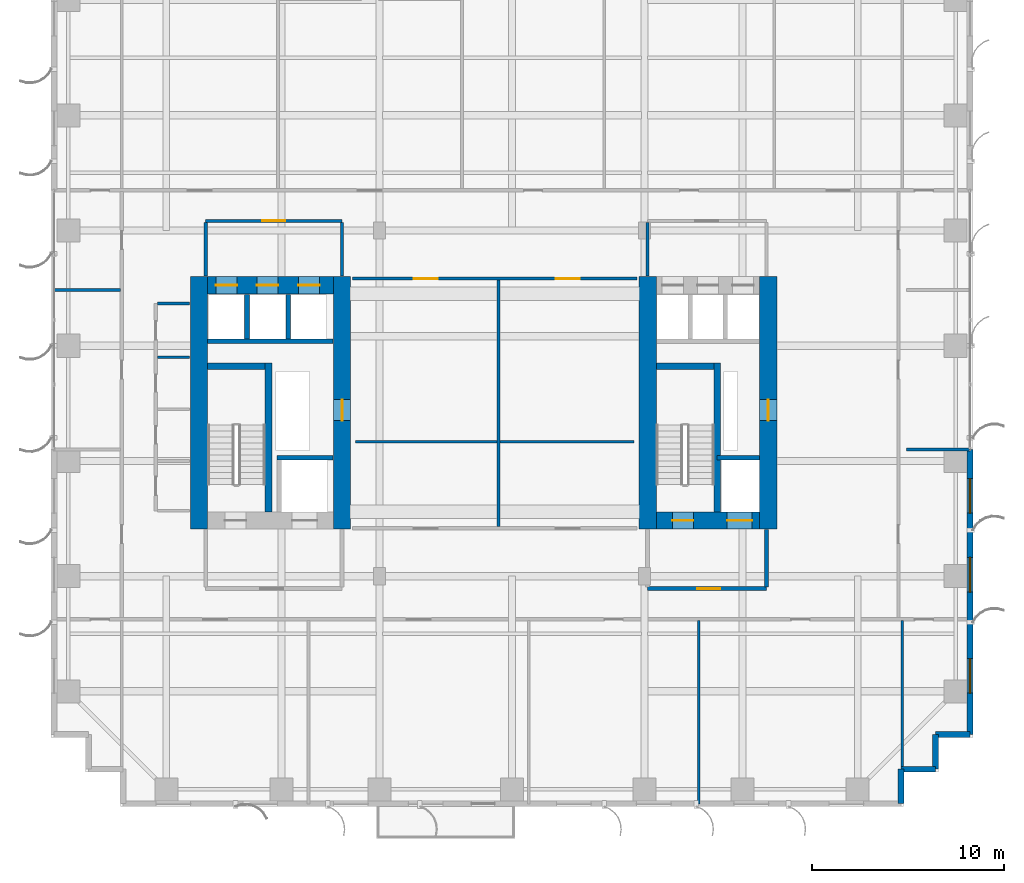
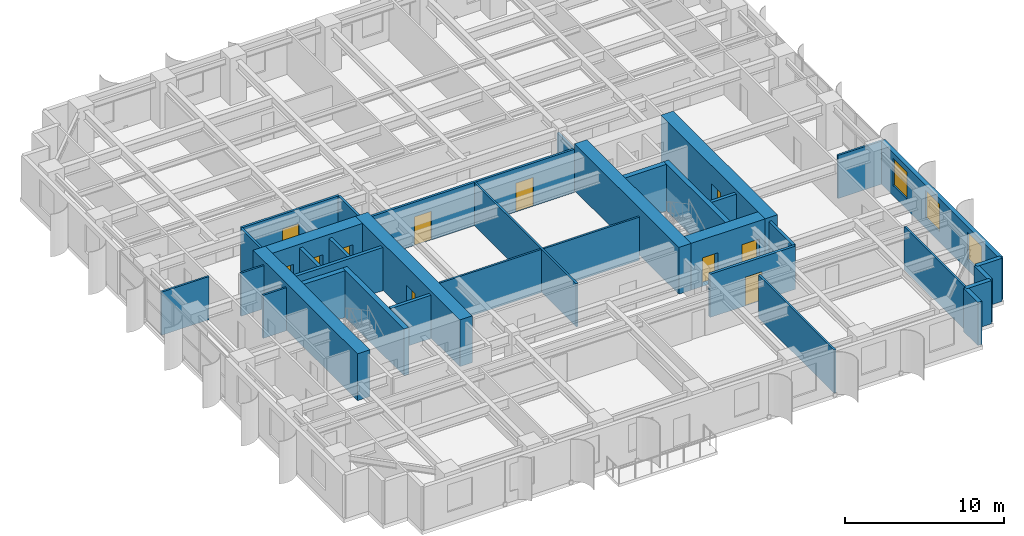
# One storey, part 10 of 16: 35 walls, 11 doors, 3 windows, 14 openings.
"""IFC4 building model written with IfcOpenShell, lengths in metres."""

from ifc_helpers import new_model, si_unit, direction, frame, frame_2d, origin, place, context, subcontext, project, spatial, rectangle, extrude, source, transform, mapped, material, layer, layer_set, type_object, element, fill, save


model = new_model("IFC4")

# Units and contexts
model_context = context("Model", 3, precision=1e-05, world=origin(), true_north=direction((0.0, 1.0)))
body_context = subcontext(model_context, "Body", "Model", "MODEL_VIEW")
ifc_project = project(units=[si_unit("LENGTHUNIT", "METRE"), si_unit("AREAUNIT", "SQUARE_METRE"), si_unit("VOLUMEUNIT", "CUBIC_METRE"), si_unit("PLANEANGLEUNIT", "RADIAN"), si_unit("MASSUNIT", "GRAM", prefix="KILO")], contexts=[model_context])

# Site, building, storey
site_placement = place(None, origin())
site = spatial("IfcSite", under=ifc_project, at=site_placement, CompositionType="ELEMENT")
building_placement = place(site_placement, origin())
building = spatial("IfcBuilding", under=site, at=building_placement, Name="Khoralis Quay Care Tower", CompositionType="ELEMENT")
storey_placement = place(building_placement, frame((0.0, 0.0, 29.699951171875)))
storey = spatial("IfcBuildingStorey", under=building, at=storey_placement, Name="L07", CompositionType="ELEMENT", Elevation=29.699951171875)

# Wall, opening, door
ifc_material_1 = material(Name="Gypsum plasterboard on acoustic metal stud")
ifc_layer_1 = layer(ifc_material_1, 0.199951171875)
ifc_layer_set_1 = layer_set([ifc_layer_1], Name="Gypsum plasterboard on acoustic metal stud")
wall_type_1 = type_object("IfcWallType", Name="WL-COMP-200", PredefinedType="PARTITIONING", material=ifc_layer_set_1)
wall_1_placement = place(storey_placement, frame((31.050048828125, 11.35009765625, 0.0), z_axis=(0.0, 0.0, 1.0), x_axis=(1.0, 0.0, 0.0)))
wall_1 = element("IfcWall", 1, at=wall_1_placement, inside=storey, type_object=wall_type_1, Name="L07 East Firefighting Lobby South Wall", PredefinedType="PARTITIONING", context=body_context, shape_type="SweptSolid", body=[
    extrude(rectangle(XDim=6.199951171875, YDim=0.199951171875, at=frame_2d((3.10009765625, 0.0))), origin(), (0.0, 0.0, 1.0), 3.320068359375),
])
opening_1_placement = place(wall_1_placement, frame((2.585693359375, 0.0, 0.0)))
opening_1 = element("IfcOpeningElement", 2, at=opening_1_placement, cuts=wall_1, Name="Opening FD1", PredefinedType="OPENING", context=body_context, shape_type="SweptSolid", body=[
    extrude(rectangle(XDim=1.199951171875, YDim=2.199951171875, at=frame_2d((0.60009765625, 1.10009765625))), frame((0.0, 0.10986328125, 0.0), z_axis=(0.0, -1.0, 0.0), x_axis=(1.0, 0.0, 0.0)), (0.0, 0.0, 1.0), 0.219970703125),
])
ifc_material_2 = material(Name="Fire-rated painted steel", Category="steel")
door_type_1 = type_object("IfcDoorType", Name="DR-FFL-1200X2200", OperationType="NOTDEFINED", PredefinedType="DOOR", material=ifc_material_2)
shared_shape_1 = source(origin(), body_context, "Body", "SweptSolid", [
    extrude(rectangle(XDim=1.199951171875, YDim=2.199951171875, at=frame_2d((0.60009765625, 1.10009765625))), frame((0.0, 0.02490234375, 0.0), z_axis=(0.0, -1.0, 0.0), x_axis=(1.0, 0.0, 0.0)), (0.0, 0.0, 1.0), 0.050048828125),
])
door_1_placement = place(opening_1_placement, origin())
door_1 = element("IfcDoor", 3, at=door_1_placement, inside=storey, type_object=door_type_1, Name="L07 East Firefighting Lobby Fire Door", OperationType="SINGLE_SWING_RIGHT", OverallHeight=2.199951171875, OverallWidth=1.199951171875, PredefinedType="DOOR", context=body_context, shape_type="MappedRepresentation", body=[
    mapped(shared_shape_1, transform((0.0, 0.0, 0.0), scale=1.0)),
])
fill(opening_1, door_1)

# Walls
wall_2_placement = place(storey_placement, frame((37.25, 11.445068359375, 0.0), z_axis=(0.0, 0.0, 1.0), x_axis=(0.0, 1.0, 0.0)))
element("IfcWall", 4, at=wall_2_placement, inside=storey, type_object=wall_type_1, Name="L07 East Firefighting Lobby East Wall", PredefinedType="PARTITIONING", context=body_context, shape_type="SweptSolid", body=[
    extrude(rectangle(XDim=2.98486328125, YDim=0.199951171875, at=frame_2d((1.492431640625, 0.0))), origin(), (0.0, 0.0, 1.0), 3.320068359375),
])
ifc_material_3 = material(Name="Concrete C80/95", Category="concrete")
ifc_layer_2 = layer(ifc_material_3, 0.89990234375)
ifc_layer_set_2 = layer_set([ifc_layer_2], Name="Concrete C80/95")
wall_type_2 = type_object("IfcWallType", Name="WL-CORE-900", PredefinedType="SHEAR", material=ifc_layer_set_2)
wall_3_placement = place(storey_placement, frame((7.699951171875, 14.449951171875, 0.0), z_axis=(0.0, 0.0, 1.0), x_axis=(0.0, 1.0, 0.0)))
element("IfcWall", 5, at=wall_3_placement, inside=storey, type_object=wall_type_2, Name="L07 WCORE West Shear Wall", PredefinedType="SHEAR", context=body_context, shape_type="SweptSolid", body=[
    extrude(rectangle(XDim=13.150146484375, YDim=0.89990234375, at=frame_2d((6.5751953125, 0.0))), origin(), (0.0, 0.0, 1.0), 3.60009765625),
])

# Wall, opening, door
wall_4_placement = place(storey_placement, frame((15.14990234375, 14.449951171875, 0.0), z_axis=(0.0, 0.0, 1.0), x_axis=(0.0, 1.0, 0.0)))
wall_4 = element("IfcWall", 6, at=wall_4_placement, inside=storey, type_object=wall_type_2, Name="L07 WCORE East Shear Wall", PredefinedType="SHEAR", context=body_context, shape_type="SweptSolid", body=[
    extrude(rectangle(XDim=13.150146484375, YDim=0.89990234375, at=frame_2d((6.5751953125, 0.0))), origin(), (0.0, 0.0, 1.0), 3.60009765625),
])
opening_2_placement = place(wall_4_placement, frame((5.64990234375, 0.0, 0.0)))
opening_2 = element("IfcOpeningElement", 7, at=opening_2_placement, cuts=wall_4, Name="Opening SD1", PredefinedType="OPENING", context=body_context, shape_type="SweptSolid", body=[
    extrude(rectangle(XDim=1.10009765625, YDim=2.199951171875, at=frame_2d((0.550048828125, 1.10009765625))), frame((0.0, 0.4599609375, 0.0), z_axis=(0.0, -1.0, 0.0), x_axis=(1.0, 0.0, 0.0)), (0.0, 0.0, 1.0), 0.919921875),
])
door_type_2 = type_object("IfcDoorType", Name="DR-STAIR-1100X2200", OperationType="NOTDEFINED", PredefinedType="DOOR", material=ifc_material_2)
shared_shape_2 = source(origin(), body_context, "Body", "SweptSolid", [
    extrude(rectangle(XDim=1.10009765625, YDim=2.199951171875, at=frame_2d((0.550048828125, 1.10009765625))), frame((0.0, 0.02490234375, 0.0), z_axis=(0.0, -1.0, 0.0), x_axis=(1.0, 0.0, 0.0)), (0.0, 0.0, 1.0), 0.050048828125),
])
door_2_placement = place(opening_2_placement, origin())
door_2 = element("IfcDoor", 8, at=door_2_placement, inside=storey, type_object=door_type_2, Name="L07 West MEP Riser Door", OperationType="SINGLE_SWING_LEFT", OverallHeight=2.199951171875, OverallWidth=1.10009765625, PredefinedType="DOOR", context=body_context, shape_type="MappedRepresentation", body=[
    mapped(shared_shape_2, transform((0.0, 0.0, 0.0), scale=1.0)),
])
fill(opening_2, door_2)

# Wall, openings, doors
wall_5_placement = place(storey_placement, frame((8.14990234375, 27.14990234375, 0.0), z_axis=(0.0, 0.0, 1.0), x_axis=(1.0, 0.0, 0.0)))
wall_5 = element("IfcWall", 9, at=wall_5_placement, inside=storey, type_object=wall_type_2, Name="L07 WCORE North Shear Wall", PredefinedType="SHEAR", context=body_context, shape_type="SweptSolid", body=[
    extrude(rectangle(XDim=6.550048828125, YDim=0.89990234375, at=frame_2d((3.27490234375, 0.0))), origin(), (0.0, 0.0, 1.0), 3.60009765625),
])
opening_3_placement = place(wall_5_placement, frame((0.429931640625, 0.0, 0.0)))
opening_3 = element("IfcOpeningElement", 10, at=opening_3_placement, cuts=wall_5, Name="Opening LD1", PredefinedType="OPENING", context=body_context, shape_type="SweptSolid", body=[
    extrude(rectangle(XDim=1.10009765625, YDim=2.199951171875, at=frame_2d((0.550048828125, 1.10009765625))), frame((0.0, 0.4599609375, 0.0), z_axis=(0.0, -1.0, 0.0), x_axis=(1.0, 0.0, 0.0)), (0.0, 0.0, 1.0), 0.919921875),
])
opening_4_placement = place(wall_5_placement, frame((2.570068359375, 0.0, 0.0)))
opening_4 = element("IfcOpeningElement", 11, at=opening_4_placement, cuts=wall_5, Name="Opening LD1", PredefinedType="OPENING", context=body_context, shape_type="SweptSolid", body=[
    extrude(rectangle(XDim=1.10009765625, YDim=2.199951171875, at=frame_2d((0.550048828125, 1.10009765625))), frame((0.0, 0.4599609375, 0.0), z_axis=(0.0, -1.0, 0.0), x_axis=(1.0, 0.0, 0.0)), (0.0, 0.0, 1.0), 0.919921875),
])
opening_5_placement = place(wall_5_placement, frame((4.72998046875, 0.0, 0.0)))
opening_5 = element("IfcOpeningElement", 12, at=opening_5_placement, cuts=wall_5, Name="Opening LD1", PredefinedType="OPENING", context=body_context, shape_type="SweptSolid", body=[
    extrude(rectangle(XDim=1.10009765625, YDim=2.199951171875, at=frame_2d((0.550048828125, 1.10009765625))), frame((0.0, 0.4599609375, 0.0), z_axis=(0.0, -1.0, 0.0), x_axis=(1.0, 0.0, 0.0)), (0.0, 0.0, 1.0), 0.919921875),
])
ifc_material_4 = material(Name="Brushed stainless steel", Category="steel")
door_type_3 = type_object("IfcDoorType", Name="DR-LIFT-1100X2200", OperationType="SLIDING_TO_LEFT", PredefinedType="DOOR", material=ifc_material_4)
shared_shape_3 = source(origin(), body_context, "Body", "SweptSolid", [
    extrude(rectangle(XDim=1.10009765625, YDim=2.199951171875, at=frame_2d((0.550048828125, 1.10009765625))), frame((0.0, 0.02490234375, 0.0), z_axis=(0.0, -1.0, 0.0), x_axis=(1.0, 0.0, 0.0)), (0.0, 0.0, 1.0), 0.050048828125),
])
door_3_placement = place(opening_3_placement, origin())
door_3 = element("IfcDoor", 13, at=door_3_placement, inside=storey, type_object=door_type_3, Name="L07 Lift PLL1 Landing Door", OperationType="SLIDING_TO_LEFT", OverallHeight=2.199951171875, OverallWidth=1.10009765625, PredefinedType="DOOR", context=body_context, shape_type="MappedRepresentation", body=[
    mapped(shared_shape_3, transform((0.0, 0.0, 0.0), scale=1.0)),
])
fill(opening_3, door_3)
door_4_placement = place(opening_4_placement, origin())
door_4 = element("IfcDoor", 14, at=door_4_placement, inside=storey, type_object=door_type_3, Name="L07 Lift PLM1 Landing Door", OperationType="SLIDING_TO_LEFT", OverallHeight=2.199951171875, OverallWidth=1.10009765625, PredefinedType="DOOR", context=body_context, shape_type="MappedRepresentation", body=[
    mapped(shared_shape_3, transform((0.0, 0.0, 0.0), scale=1.0)),
])
fill(opening_4, door_4)
door_5_placement = place(opening_5_placement, origin())
door_5 = element("IfcDoor", 15, at=door_5_placement, inside=storey, type_object=door_type_3, Name="L07 Lift PLH1 Landing Door", OperationType="SLIDING_TO_LEFT", OverallHeight=2.199951171875, OverallWidth=1.10009765625, PredefinedType="DOOR", context=body_context, shape_type="MappedRepresentation", body=[
    mapped(shared_shape_3, transform((0.0, 0.0, 0.0), scale=1.0)),
])
fill(opening_5, door_5)

# Wall
wall_6_placement = place(storey_placement, frame((31.070068359375, 14.449951171875, 0.0), z_axis=(0.0, 0.0, 1.0), x_axis=(0.0, 1.0, 0.0)))
element("IfcWall", 16, at=wall_6_placement, inside=storey, type_object=wall_type_2, Name="L07 ECORE West Shear Wall", PredefinedType="SHEAR", context=body_context, shape_type="SweptSolid", body=[
    extrude(rectangle(XDim=13.150146484375, YDim=0.89990234375, at=frame_2d((6.5751953125, 0.0))), origin(), (0.0, 0.0, 1.0), 3.60009765625),
])

# Wall, opening, door
wall_7_placement = place(storey_placement, frame((37.35009765625, 14.449951171875, 0.0), z_axis=(0.0, 0.0, 1.0), x_axis=(0.0, 1.0, 0.0)))
wall_7 = element("IfcWall", 17, at=wall_7_placement, inside=storey, type_object=wall_type_2, Name="L07 ECORE East Shear Wall", PredefinedType="SHEAR", context=body_context, shape_type="SweptSolid", body=[
    extrude(rectangle(XDim=13.150146484375, YDim=0.89990234375, at=frame_2d((6.5751953125, 0.0))), origin(), (0.0, 0.0, 1.0), 3.60009765625),
])
opening_6_placement = place(wall_7_placement, frame((5.64990234375, 0.0, 0.0)))
opening_6 = element("IfcOpeningElement", 18, at=opening_6_placement, cuts=wall_7, Name="Opening SD1", PredefinedType="OPENING", context=body_context, shape_type="SweptSolid", body=[
    extrude(rectangle(XDim=1.10009765625, YDim=2.199951171875, at=frame_2d((0.550048828125, 1.10009765625))), frame((0.0, 0.4599609375, 0.0), z_axis=(0.0, -1.0, 0.0), x_axis=(1.0, 0.0, 0.0)), (0.0, 0.0, 1.0), 0.919921875),
])
door_6_placement = place(opening_6_placement, frame((1.10009765625, 0.0, 0.0), z_axis=(0.0, 0.0, 1.0), x_axis=(-1.0, 0.0, 0.0)))
door_6 = element("IfcDoor", 19, at=door_6_placement, inside=storey, type_object=door_type_2, Name="L07 East MEP Riser Door", OperationType="SINGLE_SWING_RIGHT", OverallHeight=2.199951171875, OverallWidth=1.10009765625, PredefinedType="DOOR", context=body_context, shape_type="MappedRepresentation", body=[
    mapped(shared_shape_2, transform((0.0, 0.0, 0.0), scale=1.0)),
])
fill(opening_6, door_6)

# Wall, openings, doors
wall_8_placement = place(storey_placement, frame((31.52001953125, 14.89990234375, 0.0), z_axis=(0.0, 0.0, 1.0), x_axis=(1.0, 0.0, 0.0)))
wall_8 = element("IfcWall", 20, at=wall_8_placement, inside=storey, type_object=wall_type_2, Name="L07 ECORE South Shear Wall", PredefinedType="SHEAR", context=body_context, shape_type="SweptSolid", body=[
    extrude(rectangle(XDim=5.3798828125, YDim=0.89990234375, at=frame_2d((2.68994140625, 0.0))), origin(), (0.0, 0.0, 1.0), 3.60009765625),
])
opening_7_placement = place(wall_8_placement, frame((0.830078125, 0.0, 0.0)))
opening_7 = element("IfcOpeningElement", 21, at=opening_7_placement, cuts=wall_8, Name="Opening SD1", PredefinedType="OPENING", context=body_context, shape_type="SweptSolid", body=[
    extrude(rectangle(XDim=1.10009765625, YDim=2.199951171875, at=frame_2d((0.550048828125, 1.10009765625))), frame((0.0, 0.4599609375, 0.0), z_axis=(0.0, -1.0, 0.0), x_axis=(1.0, 0.0, 0.0)), (0.0, 0.0, 1.0), 0.919921875),
])
opening_8_placement = place(wall_8_placement, frame((3.679931640625, 0.0, 0.0)))
opening_8 = element("IfcOpeningElement", 22, at=opening_8_placement, cuts=wall_8, Name="Opening LD2", PredefinedType="OPENING", context=body_context, shape_type="SweptSolid", body=[
    extrude(rectangle(XDim=1.300048828125, YDim=2.199951171875, at=frame_2d((0.64990234375, 1.10009765625))), frame((0.0, 0.4599609375, 0.0), z_axis=(0.0, -1.0, 0.0), x_axis=(1.0, 0.0, 0.0)), (0.0, 0.0, 1.0), 0.919921875),
])
door_7_placement = place(opening_7_placement, origin())
door_7 = element("IfcDoor", 23, at=door_7_placement, inside=storey, type_object=door_type_2, Name="L07 Stair ST-T2 Fire Door", OperationType="SINGLE_SWING_RIGHT", OverallHeight=2.199951171875, OverallWidth=1.10009765625, PredefinedType="DOOR", context=body_context, shape_type="MappedRepresentation", body=[
    mapped(shared_shape_2, transform((0.0, 0.0, 0.0), scale=1.0)),
])
fill(opening_7, door_7)
door_type_4 = type_object("IfcDoorType", Name="DR-LIFT-1300X2200", OperationType="SLIDING_TO_RIGHT", PredefinedType="DOOR", material=ifc_material_4)
shared_shape_4 = source(origin(), body_context, "Body", "SweptSolid", [
    extrude(rectangle(XDim=1.300048828125, YDim=2.199951171875, at=frame_2d((0.64990234375, 1.10009765625))), frame((0.0, 0.02490234375, 0.0), z_axis=(0.0, -1.0, 0.0), x_axis=(1.0, 0.0, 0.0)), (0.0, 0.0, 1.0), 0.050048828125),
])
door_8_placement = place(opening_8_placement, origin())
door_8 = element("IfcDoor", 24, at=door_8_placement, inside=storey, type_object=door_type_4, Name="L07 Firefighting Lift FFL-2 Landing Door", OperationType="SLIDING_TO_RIGHT", OverallHeight=2.199951171875, OverallWidth=1.300048828125, PredefinedType="DOOR", context=body_context, shape_type="MappedRepresentation", body=[
    mapped(shared_shape_4, transform((0.0, 0.0, 0.0), scale=1.0)),
])
fill(opening_8, door_8)

# Wall, opening, door
ifc_layer_3 = layer(ifc_material_1, 0.1650390625)
ifc_layer_set_3 = layer_set([ifc_layer_3], Name="Gypsum plasterboard on acoustic metal stud")
wall_type_3 = type_object("IfcWallType", Name="WL-CORR-165", PredefinedType="PARTITIONING", material=ifc_layer_set_3)
wall_9_placement = place(storey_placement, frame((8.050048828125, 30.5, 0.0), z_axis=(0.0, 0.0, 1.0), x_axis=(1.0, 0.0, 0.0)))
wall_9 = element("IfcWall", 25, at=wall_9_placement, inside=storey, type_object=wall_type_3, Name="L07 West Lift Lobby North Wall", PredefinedType="PARTITIONING", context=body_context, shape_type="SweptSolid", body=[
    extrude(rectangle(XDim=7.099853515625, YDim=0.1650390625, at=frame_2d((3.5498046875, 0.0))), origin(), (0.0, 0.0, 1.0), 3.320068359375),
])
opening_9_placement = place(wall_9_placement, frame((2.949951171875, 0.0, 0.0)))
opening_9 = element("IfcOpeningElement", 26, at=opening_9_placement, cuts=wall_9, Name="Opening FD1", PredefinedType="OPENING", context=body_context, shape_type="SweptSolid", body=[
    extrude(rectangle(XDim=1.199951171875, YDim=2.199951171875, at=frame_2d((0.60009765625, 1.10009765625))), frame((0.0, 0.092529296875, 0.0), z_axis=(0.0, -1.0, 0.0), x_axis=(1.0, 0.0, 0.0)), (0.0, 0.0, 1.0), 0.18505859375),
])
door_9_placement = place(opening_9_placement, origin())
door_9 = element("IfcDoor", 27, at=door_9_placement, inside=storey, type_object=door_type_1, Name="L07 West Lift Lobby Double Door", OperationType="DOUBLE_DOOR_SINGLE_SWING", OverallHeight=2.199951171875, OverallWidth=1.199951171875, PredefinedType="DOOR", context=body_context, shape_type="MappedRepresentation", body=[
    mapped(shared_shape_1, transform((0.0, 0.0, 0.0), scale=1.0)),
])
fill(opening_9, door_9)

# Walls
for number, where, z_axis, x_axis, name in (
    (28, (8.050048828125, 27.6201171875, 0.0), (0.0, 0.0, 1.0), (0.0, 1.0, 0.0), "L07 West Lift Lobby West Wall"),
    (29, (15.14990234375, 27.6201171875, 0.0), (0.0, 0.0, 1.0), (0.0, 1.0, 0.0), "L07 West Lift Lobby East Wall"),
):
    element("IfcWall", number, at=place(storey_placement, frame(where, z_axis=z_axis, x_axis=x_axis)), inside=storey, type_object=wall_type_3, Name=name, PredefinedType="PARTITIONING", context=body_context, shape_type="SweptSolid", body=[
        extrude(rectangle(XDim=2.802490234375, YDim=0.1650390625, at=frame_2d((1.4013671875, 0.0))), origin(), (0.0, 0.0, 1.0), 3.320068359375),
    ])
wall_10_placement = place(storey_placement, frame((31.050048828125, 27.6201171875, 0.0), z_axis=(0.0, 0.0, 1.0), x_axis=(0.0, 1.0, 0.0)))
element("IfcWall", 30, at=wall_10_placement, inside=storey, type_object=wall_type_3, Name="L07 East Lift Lobby West Wall", PredefinedType="PARTITIONING", context=body_context, shape_type="SweptSolid", body=[
    extrude(rectangle(XDim=2.802490234375, YDim=0.1650390625, at=frame_2d((1.4013671875, 0.0))), origin(), (0.0, 0.0, 1.0), 2.625),
])

# Wall, openings, doors
wall_11_placement = place(storey_placement, frame((15.699951171875, 27.5, 0.0), z_axis=(0.0, 0.0, 1.0), x_axis=(1.0, 0.0, 0.0)))
wall_11 = element("IfcWall", 31, at=wall_11_placement, inside=storey, type_object=wall_type_3, Name="L07 Central Clinical North Wall", PredefinedType="PARTITIONING", context=body_context, shape_type="SweptSolid", body=[
    extrude(rectangle(XDim=14.800048828125, YDim=0.1650390625, at=frame_2d((7.39990234375, 0.0))), origin(), (0.0, 0.0, 1.0), 3.320068359375),
])
opening_10_placement = place(wall_11_placement, frame((3.175048828125, 0.0, 0.0)))
opening_10 = element("IfcOpeningElement", 32, at=opening_10_placement, cuts=wall_11, Name="Opening CD1", PredefinedType="OPENING", context=body_context, shape_type="SweptSolid", body=[
    extrude(rectangle(XDim=1.25, YDim=2.199951171875, at=frame_2d((0.625, 1.10009765625))), frame((0.0, 0.092529296875, 0.0), z_axis=(0.0, -1.0, 0.0), x_axis=(1.0, 0.0, 0.0)), (0.0, 0.0, 1.0), 0.18505859375),
])
opening_11_placement = place(wall_11_placement, frame((10.574951171875, 0.0, 0.0)))
opening_11 = element("IfcOpeningElement", 33, at=opening_11_placement, cuts=wall_11, Name="Opening CD1", PredefinedType="OPENING", context=body_context, shape_type="SweptSolid", body=[
    extrude(rectangle(XDim=1.25, YDim=2.199951171875, at=frame_2d((0.625, 1.10009765625))), frame((0.0, 0.092529296875, 0.0), z_axis=(0.0, -1.0, 0.0), x_axis=(1.0, 0.0, 0.0)), (0.0, 0.0, 1.0), 0.18505859375),
])
ifc_material_5 = material(Name="Acoustic hardwood timber", Category="wood")
door_type_5 = type_object("IfcDoorType", Name="DR-CARE-1250X2200", OperationType="NOTDEFINED", PredefinedType="DOOR", material=ifc_material_5)
shared_shape_5 = source(origin(), body_context, "Body", "SweptSolid", [
    extrude(rectangle(XDim=1.25, YDim=2.199951171875, at=frame_2d((0.625, 1.10009765625))), frame((0.0, 0.02490234375, 0.0), z_axis=(0.0, -1.0, 0.0), x_axis=(1.0, 0.0, 0.0)), (0.0, 0.0, 1.0), 0.050048828125),
])
door_10_placement = place(opening_10_placement, frame((1.25, 0.0, 0.0), z_axis=(0.0, 0.0, 1.0), x_axis=(-1.0, 0.0, 0.0)))
door_10 = element("IfcDoor", 34, at=door_10_placement, inside=storey, type_object=door_type_5, Name="L07 Library Lounge Door", OperationType="SINGLE_SWING_LEFT", OverallHeight=2.199951171875, OverallWidth=1.25, PredefinedType="DOOR", context=body_context, shape_type="MappedRepresentation", body=[
    mapped(shared_shape_5, transform((0.0, 0.0, 0.0), scale=1.0)),
])
fill(opening_10, door_10)
door_11_placement = place(opening_11_placement, frame((1.25, 0.0, 0.0), z_axis=(0.0, 0.0, 1.0), x_axis=(-1.0, 0.0, 0.0)))
door_11 = element("IfcDoor", 35, at=door_11_placement, inside=storey, type_object=door_type_5, Name="L07 Occupational Therapy Door", OperationType="SINGLE_SWING_RIGHT", OverallHeight=2.199951171875, OverallWidth=1.25, PredefinedType="DOOR", context=body_context, shape_type="MappedRepresentation", body=[
    mapped(shared_shape_5, transform((0.0, 0.0, 0.0), scale=1.0)),
])
fill(opening_11, door_11)

# Walls
ifc_material_6 = material(Name="Precast concrete C45/55", Category="concrete")
ifc_layer_4 = layer(ifc_material_6, 0.300048828125)
ifc_layer_set_4 = layer_set([ifc_layer_4], Name="Precast concrete C45/55")
wall_type_4 = type_object("IfcWallType", Name="WL-EXT-REF-300", PredefinedType="SOLIDWALL", material=ifc_layer_set_4)
for number, where, z_axis, x_axis, name in (
    (36, (44.25, 0.14990234375, 0.0), (0.0, 0.0, 1.0), (0.0, 1.0, 0.0), "L07 External Facade Wall WL-EXT-L07-P1-C1"),
    (37, (44.25, 1.949951171875, 0.0), (0.0, 0.0, 1.0), (1.0, 0.0, 0.0), "L07 External Facade Wall WL-EXT-L07-P1-C2"),
    (38, (46.050048828125, 1.949951171875, 0.0), (0.0, 0.0, 1.0), (0.0, 1.0, 0.0), "L07 External Facade Wall WL-EXT-L07-P1-C3"),
    (39, (46.050048828125, 3.75, 0.0), (0.0, 0.0, 1.0), (1.0, 0.0, 0.0), "L07 External Facade Wall WL-EXT-L07-P1-C4"),
):
    element("IfcWall", number, at=place(storey_placement, frame(where, z_axis=z_axis, x_axis=x_axis)), inside=storey, type_object=wall_type_4, Name=name, PredefinedType="SOLIDWALL", context=body_context, shape_type="SweptSolid", body=[
        extrude(rectangle(XDim=1.800048828125, YDim=0.300048828125, at=frame_2d((0.89990234375, 0.0))), origin(), (0.0, 0.0, 1.0), 3.320068359375),
    ])

# Wall, openings, windows
wall_12_placement = place(storey_placement, frame((47.85009765625, 3.75, 0.0), z_axis=(0.0, 0.0, 1.0), x_axis=(0.0, 1.0, 0.0)))
wall_12 = element("IfcWall", 40, at=wall_12_placement, inside=storey, type_object=wall_type_4, Name="L07 External Facade Wall WL-EXT-L07-P1-E5A", PredefinedType="SOLIDWALL", context=body_context, shape_type="SweptSolid", body=[
    extrude(rectangle(XDim=14.85009765625, YDim=0.300048828125, at=frame_2d((7.425048828125, 0.0))), origin(), (0.0, 0.0, 1.0), 3.320068359375),
])
opening_12_placement = place(wall_12_placement, frame((2.155029296875, 0.0, 0.800048828125)))
opening_12 = element("IfcOpeningElement", 41, at=opening_12_placement, cuts=wall_12, Name="Opening W2", PredefinedType="OPENING", context=body_context, shape_type="SweptSolid", body=[
    extrude(rectangle(XDim=1.800048828125, YDim=2.10009765625, at=frame_2d((0.89990234375, 1.050048828125))), frame((0.0, 0.16015625, 0.0), z_axis=(0.0, -1.0, 0.0), x_axis=(1.0, 0.0, 0.0)), (0.0, 0.0, 1.0), 0.320068359375),
])
opening_13_placement = place(wall_12_placement, frame((7.425048828125, 0.0, 0.800048828125)))
opening_13 = element("IfcOpeningElement", 42, at=opening_13_placement, cuts=wall_12, Name="Opening W2", PredefinedType="OPENING", context=body_context, shape_type="SweptSolid", body=[
    extrude(rectangle(XDim=1.800048828125, YDim=2.10009765625, at=frame_2d((0.89990234375, 1.050048828125))), frame((0.0, 0.16015625, 0.0), z_axis=(0.0, -1.0, 0.0), x_axis=(1.0, 0.0, 0.0)), (0.0, 0.0, 1.0), 0.320068359375),
])
opening_14_placement = place(wall_12_placement, frame((11.534912109375, 0.0, 0.800048828125)))
opening_14 = element("IfcOpeningElement", 43, at=opening_14_placement, cuts=wall_12, Name="Opening W2", PredefinedType="OPENING", context=body_context, shape_type="SweptSolid", body=[
    extrude(rectangle(XDim=1.800048828125, YDim=2.10009765625, at=frame_2d((0.89990234375, 1.050048828125))), frame((0.0, 0.16015625, 0.0), z_axis=(0.0, -1.0, 0.0), x_axis=(1.0, 0.0, 0.0)), (0.0, 0.0, 1.0), 0.320068359375),
])
ifc_material_7 = material(Name="Low-E solar-control double glazing", Category="glass")
window_type = type_object("IfcWindowType", Name="WN-POD-1800X2100", PartitioningType="SINGLE_PANEL", PredefinedType="WINDOW", material=ifc_material_7)
shared_shape_6 = source(origin(), body_context, "Body", "SweptSolid", [
    extrude(rectangle(XDim=1.800048828125, YDim=2.10009765625, at=frame_2d((0.89990234375, 1.050048828125))), frame((0.0, 0.030029296875, 0.0), z_axis=(0.0, -1.0, 0.0), x_axis=(1.0, 0.0, 0.0)), (0.0, 0.0, 1.0), 0.06005859375),
])
window_1_placement = place(opening_12_placement, origin())
window_1 = element("IfcWindow", 44, at=window_1_placement, inside=storey, type_object=window_type, Name="WN-L07-P1-E5A Facade Window 01", OverallHeight=2.10009765625, OverallWidth=1.800048828125, PartitioningType="SINGLE_PANEL", PredefinedType="WINDOW", context=body_context, shape_type="MappedRepresentation", body=[
    mapped(shared_shape_6, transform((0.0, 0.0, 0.0), scale=1.0)),
])
fill(opening_12, window_1)
window_2_placement = place(opening_13_placement, origin())
window_2 = element("IfcWindow", 45, at=window_2_placement, inside=storey, type_object=window_type, Name="WN-L07-P1-E5A Facade Window 02", OverallHeight=2.10009765625, OverallWidth=1.800048828125, PartitioningType="SINGLE_PANEL", PredefinedType="WINDOW", context=body_context, shape_type="MappedRepresentation", body=[
    mapped(shared_shape_6, transform((0.0, 0.0, 0.0), scale=1.0)),
])
fill(opening_13, window_2)
window_3_placement = place(opening_14_placement, origin())
window_3 = element("IfcWindow", 46, at=window_3_placement, inside=storey, type_object=window_type, Name="WN-L07-P1-E5A Facade Window 03", OverallHeight=2.10009765625, OverallWidth=1.800048828125, PartitioningType="SINGLE_PANEL", PredefinedType="WINDOW", context=body_context, shape_type="MappedRepresentation", body=[
    mapped(shared_shape_6, transform((0.0, 0.0, 0.0), scale=1.0)),
])
fill(opening_14, window_3)

# Walls
ifc_material_8 = material(Name="Concrete C40/50", Category="concrete")
ifc_layer_5 = layer(ifc_material_8, 0.35009765625)
ifc_layer_set_5 = layer_set([ifc_layer_5], Name="Concrete C40/50")
wall_type_5 = type_object("IfcWallType", Name="WL-SC-CORE-350", PredefinedType="SHEAR", material=ifc_layer_set_5)
wall_13_placement = place(storey_placement, frame((11.324951171875, 15.35009765625, 0.0), z_axis=(0.0, 0.0, 1.0), x_axis=(0.0, 1.0, 0.0)))
element("IfcWall", 47, at=wall_13_placement, inside=storey, type_object=wall_type_5, Name="L07 Stair ST-T1 Shear Baffle Wall East", PredefinedType="SHEAR", context=body_context, shape_type="SweptSolid", body=[
    extrude(rectangle(XDim=7.75, YDim=0.35009765625, at=frame_2d((3.875, 0.0))), origin(), (0.0, 0.0, 1.0), 3.60009765625),
])
wall_14_placement = place(storey_placement, frame((8.14990234375, 22.925048828125, 0.0), z_axis=(0.0, 0.0, 1.0), x_axis=(1.0, 0.0, 0.0)))
element("IfcWall", 48, at=wall_14_placement, inside=storey, type_object=wall_type_5, Name="L07 Stair ST-T1 Shear Baffle Wall North", PredefinedType="SHEAR", context=body_context, shape_type="SweptSolid", body=[
    extrude(rectangle(XDim=3.0, YDim=0.35009765625, at=frame_2d((1.5, 0.0))), origin(), (0.0, 0.0, 1.0), 3.60009765625),
])
wall_15_placement = place(storey_placement, frame((34.695068359375, 15.35009765625, 0.0), z_axis=(0.0, 0.0, 1.0), x_axis=(0.0, 1.0, 0.0)))
element("IfcWall", 49, at=wall_15_placement, inside=storey, type_object=wall_type_5, Name="L07 Stair ST-T2 Shear Baffle Wall East", PredefinedType="SHEAR", context=body_context, shape_type="SweptSolid", body=[
    extrude(rectangle(XDim=7.75, YDim=0.35009765625, at=frame_2d((3.875, 0.0))), origin(), (0.0, 0.0, 1.0), 3.60009765625),
])
wall_16_placement = place(storey_placement, frame((31.52001953125, 22.925048828125, 0.0), z_axis=(0.0, 0.0, 1.0), x_axis=(1.0, 0.0, 0.0)))
element("IfcWall", 50, at=wall_16_placement, inside=storey, type_object=wall_type_5, Name="L07 Stair ST-T2 Shear Baffle Wall North", PredefinedType="SHEAR", context=body_context, shape_type="SweptSolid", body=[
    extrude(rectangle(XDim=3.0, YDim=0.35009765625, at=frame_2d((1.5, 0.0))), origin(), (0.0, 0.0, 1.0), 3.60009765625),
])
ifc_layer_6 = layer(ifc_material_1, 0.239990234375)
ifc_layer_set_6 = layer_set([ifc_layer_6], Name="Gypsum plasterboard on acoustic metal stud")
wall_type_6 = type_object("IfcWallType", Name="WL-SHAFT-240", PredefinedType="PARTITIONING", material=ifc_layer_set_6)
wall_17_placement = place(storey_placement, frame((11.760009765625, 18.169921875, 0.0), z_axis=(0.0, 0.0, 1.0), x_axis=(1.0, 0.0, 0.0)))
element("IfcWall", 51, at=wall_17_placement, inside=storey, type_object=wall_type_6, Name="L07 FFL-1 Shaft Wall North", PredefinedType="PARTITIONING", context=body_context, shape_type="SweptSolid", body=[
    extrude(rectangle(XDim=2.919921875, YDim=0.239990234375, at=frame_2d((1.4599609375, 0.0))), origin(), (0.0, 0.0, 1.0), 3.320068359375),
])
wall_18_placement = place(storey_placement, frame((34.679931640625, 18.169921875, 0.0), z_axis=(0.0, 0.0, 1.0), x_axis=(1.0, 0.0, 0.0)))
element("IfcWall", 52, at=wall_18_placement, inside=storey, type_object=wall_type_6, Name="L07 FFL-2 Shaft Wall North", PredefinedType="PARTITIONING", context=body_context, shape_type="SweptSolid", body=[
    extrude(rectangle(XDim=2.199951171875, YDim=0.239990234375, at=frame_2d((1.10009765625, 0.0))), origin(), (0.0, 0.0, 1.0), 3.320068359375),
])
wall_19_placement = place(storey_placement, frame((8.14990234375, 24.22998046875, 0.0), z_axis=(0.0, 0.0, 1.0), x_axis=(1.0, 0.0, 0.0)))
element("IfcWall", 53, at=wall_19_placement, inside=storey, type_object=wall_type_6, Name="L07 West Passenger Shaft South Wall", PredefinedType="PARTITIONING", context=body_context, shape_type="SweptSolid", body=[
    extrude(rectangle(XDim=6.530029296875, YDim=0.239990234375, at=frame_2d((3.26513671875, 0.0))), origin(), (0.0, 0.0, 1.0), 3.320068359375),
])
for number, where, z_axis, x_axis, name in (
    (54, (10.199951171875, 24.344970703125, 0.0), (0.0, 0.0, 1.0), (0.0, 1.0, 0.0), "L07 West Shaft Divider 1"),
    (55, (12.35009765625, 24.344970703125, 0.0), (0.0, 0.0, 1.0), (0.0, 1.0, 0.0), "L07 West Shaft Divider 2"),
):
    element("IfcWall", number, at=place(storey_placement, frame(where, z_axis=z_axis, x_axis=x_axis)), inside=storey, type_object=wall_type_6, Name=name, PredefinedType="PARTITIONING", context=body_context, shape_type="SweptSolid", body=[
        extrude(rectangle(XDim=2.3349609375, YDim=0.239990234375, at=frame_2d((1.16748046875, 0.0))), origin(), (0.0, 0.0, 1.0), 3.320068359375),
    ])
ifc_layer_7 = layer(ifc_material_1, 0.139892578125)
ifc_layer_set_7 = layer_set([ifc_layer_7], Name="Gypsum plasterboard on acoustic metal stud")
wall_type_7 = type_object("IfcWallType", Name="WL-UNIT-140", PredefinedType="PARTITIONING", material=ifc_layer_set_7)
for number, where, z_axis, x_axis, name in (
    (56, (5.527587890625, 26.199951171875, 0.0), (0.0, 0.0, 1.0), (1.0, 0.0, 0.0), "L07 West Flank North Cap"),
    (57, (5.527587890625, 23.39990234375, 0.0), (0.0, 0.0, 1.0), (1.0, 0.0, 0.0), "L07 West Flank Divider 3"),
):
    element("IfcWall", number, at=place(storey_placement, frame(where, z_axis=z_axis, x_axis=x_axis)), inside=storey, type_object=wall_type_7, Name=name, PredefinedType="PARTITIONING", context=body_context, shape_type="SweptSolid", body=[
        extrude(rectangle(XDim=1.682373046875, YDim=0.139892578125, at=frame_2d((0.84130859375, 0.0))), origin(), (0.0, 0.0, 1.0), 3.320068359375),
    ])
wall_20_placement = place(storey_placement, frame((0.14501953125, 26.89990234375, 0.0), z_axis=(0.0, 0.0, 1.0), x_axis=(1.0, 0.0, 0.0)))
element("IfcWall", 58, at=wall_20_placement, inside=storey, type_object=wall_type_7, Name="L07 WW Divider 2", PredefinedType="PARTITIONING", context=body_context, shape_type="SweptSolid", body=[
    extrude(rectangle(XDim=3.45751953125, YDim=0.139892578125, at=frame_2d((1.728759765625, 0.0))), origin(), (0.0, 0.0, 1.0), 3.320068359375),
])
wall_21_placement = place(storey_placement, frame((44.5400390625, 18.60009765625, 0.0), z_axis=(0.0, 0.0, 1.0), x_axis=(1.0, 0.0, 0.0)))
element("IfcWall", 59, at=wall_21_placement, inside=storey, type_object=wall_type_7, Name="L07 EE Divider 1", PredefinedType="PARTITIONING", context=body_context, shape_type="SweptSolid", body=[
    extrude(rectangle(XDim=3.31494140625, YDim=0.139892578125, at=frame_2d((1.657470703125, 0.0))), origin(), (0.0, 0.0, 1.0), 3.320068359375),
])
wall_22_placement = place(storey_placement, frame((23.300048828125, 14.577392578125, 0.0), z_axis=(0.0, 0.0, 1.0), x_axis=(0.0, 1.0, 0.0)))
element("IfcWall", 60, at=wall_22_placement, inside=storey, type_object=wall_type_7, Name="L07 Central Split V", PredefinedType="PARTITIONING", context=body_context, shape_type="SweptSolid", body=[
    extrude(rectangle(XDim=12.84521484375, YDim=0.139892578125, at=frame_2d((6.422607421875, 0.0))), origin(), (0.0, 0.0, 1.0), 3.320068359375),
])
wall_23_placement = place(storey_placement, frame((15.85009765625, 19.0, 0.0), z_axis=(0.0, 0.0, 1.0), x_axis=(1.0, 0.0, 0.0)))
element("IfcWall", 61, at=wall_23_placement, inside=storey, type_object=wall_type_7, Name="L07 Central Split H", PredefinedType="PARTITIONING", context=body_context, shape_type="SweptSolid", body=[
    extrude(rectangle(XDim=14.5, YDim=0.139892578125, at=frame_2d((7.25, 0.0))), origin(), (0.0, 0.0, 1.0), 3.320068359375),
])
wall_24_placement = place(storey_placement, frame((33.719970703125, 0.14501953125, 0.0), z_axis=(0.0, 0.0, 1.0), x_axis=(0.0, 1.0, 0.0)))
element("IfcWall", 62, at=wall_24_placement, inside=storey, type_object=wall_type_7, Name="L07 SB Demising Wall 3", PredefinedType="PARTITIONING", context=body_context, shape_type="SweptSolid", body=[
    extrude(rectangle(XDim=9.53759765625, YDim=0.139892578125, at=frame_2d((4.768798828125, 0.0))), origin(), (0.0, 0.0, 1.0), 3.320068359375),
])
wall_25_placement = place(storey_placement, frame((44.320068359375, 1.945068359375, 0.0), z_axis=(0.0, 0.0, 1.0), x_axis=(0.0, 1.0, 0.0)))
element("IfcWall", 63, at=wall_25_placement, inside=storey, type_object=wall_type_7, Name="L07 SB Demising Wall 4", PredefinedType="PARTITIONING", context=body_context, shape_type="SweptSolid", body=[
    extrude(rectangle(XDim=7.737548828125, YDim=0.139892578125, at=frame_2d((3.86865234375, 0.0))), origin(), (0.0, 0.0, 1.0), 3.320068359375),
])

save(model, "model.ifc")
